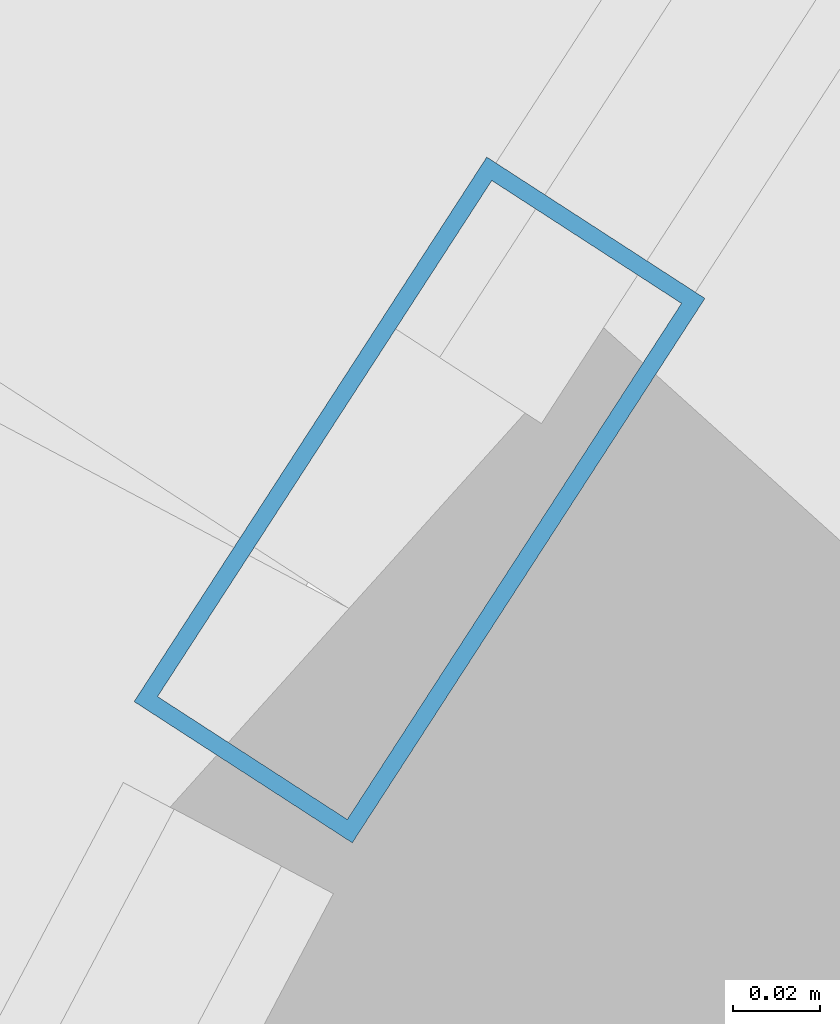
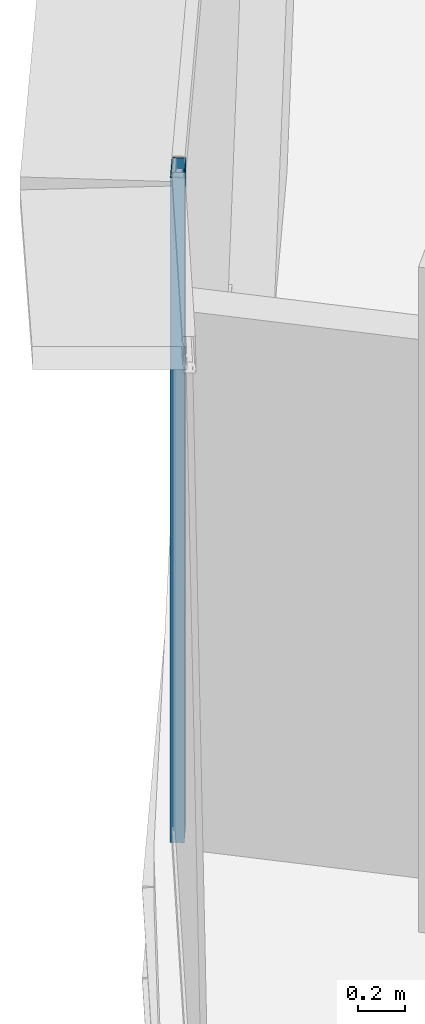
# One storey, part 16 of 39: 1 member, 1 element without a shape of its own.
"""IFC4 building model written with IfcOpenShell, lengths in metres."""

from ifc_helpers import new_model, si_unit, direction, frame, origin, origin_2d, place, context, subcontext, project, spatial, hollow_rectangle, extrude, source, transform, mapped, material, layer, layer_set, material_profile, profile_set, type_object, element, aggregate, save


model = new_model("IFC4")

# Units and contexts
model_context = context("Model", 3, precision=1e-05, world=origin(), true_north=direction((0.0, 1.0)))
body_context = subcontext(model_context, "Body", "Model", "MODEL_VIEW")
ifc_project = project(units=[si_unit("LENGTHUNIT", "METRE"), si_unit("AREAUNIT", "SQUARE_METRE"), si_unit("VOLUMEUNIT", "CUBIC_METRE"), si_unit("PLANEANGLEUNIT", "RADIAN"), si_unit("MASSUNIT", "GRAM", prefix="KILO"), si_unit("THERMODYNAMICTEMPERATUREUNIT", "KELVIN"), si_unit("POWERUNIT", "WATT")], contexts=[model_context])

# Site, building, storey
site_placement = place(None, origin())
site = spatial("IfcSite", under=ifc_project, at=site_placement, CompositionType="ELEMENT")
building_placement = place(site_placement, origin())
building = spatial("IfcBuilding", under=site, at=building_placement, Name="Yunzhuo Pagoda Commons", CompositionType="ELEMENT")
storey_placement = place(building_placement, frame((0.0, 0.0, 148.22998046875)))
storey = spatial("IfcBuildingStorey", under=building, at=storey_placement, Name="L37", CompositionType="ELEMENT", Elevation=148.22998046875)

# Curtain wall, member
ifc_material = material(Name="Anodized aluminium 6063-T6", Category="aluminium")
ifc_layer = layer(ifc_material, 0.14990234375)
ifc_layer_set = layer_set([ifc_layer], Name="Anodized aluminium 6063-T6")
curtain_wall_type = type_object("IfcCurtainWallType", Name="CW-MID Mid-Zone Ribbon Curtain Wall", PredefinedType="NOTDEFINED", material=ifc_layer_set)
curtain_wall_placement = place(storey_placement, origin())
curtain_wall = element("IfcCurtainWall", 1, at=curtain_wall_placement, inside=storey, type_object=curtain_wall_type, Name="L37 curtain wall CW-L37-F3B2", PredefinedType="NOTDEFINED")
ifc_material_profile = material_profile(ifc_material, hollow_rectangle(XDim=0.06005859375, YDim=0.14990234375, WallThickness=0.00390625, at=origin_2d()), Name="Anodized aluminium 6063-T6")
ifc_profile_set = profile_set([ifc_material_profile], Name="Anodized aluminium 6063-T6")
member_type = type_object("IfcMemberType", Name="CW-MID-M Mullion RHS 150x60x4", PredefinedType="MULLION", material=ifc_profile_set)
shared_shape = source(origin(), body_context, "Body", "SweptSolid", [
    extrude(hollow_rectangle(XDim=0.06005859375, YDim=0.14990234375, WallThickness=0.00390625, at=origin_2d()), origin(), (0.0, 0.0, 1.0), 3.419677734375),
])
member_placement = place(storey_placement, frame((23.051513671875, 56.203369140625, 0.000244140625), z_axis=(0.0, 0.0, 1.0), x_axis=(0.839320281383, -0.543637255216, 0.0)))
member = element("IfcMember", 2, at=member_placement, type_object=member_type, Name="CW mullion 2", PredefinedType="MULLION", context=body_context, shape_type="MappedRepresentation", body=[
    mapped(shared_shape, transform((0.0, 0.0, 0.0), scale=1.0)),
])
aggregate(curtain_wall, [member])

save(model, "model.ifc")
